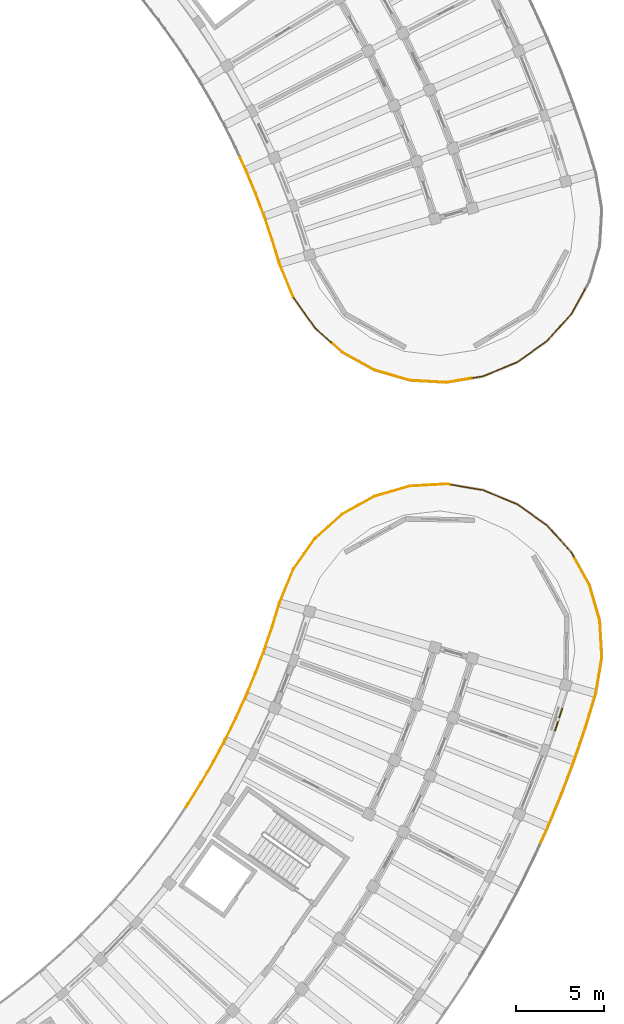
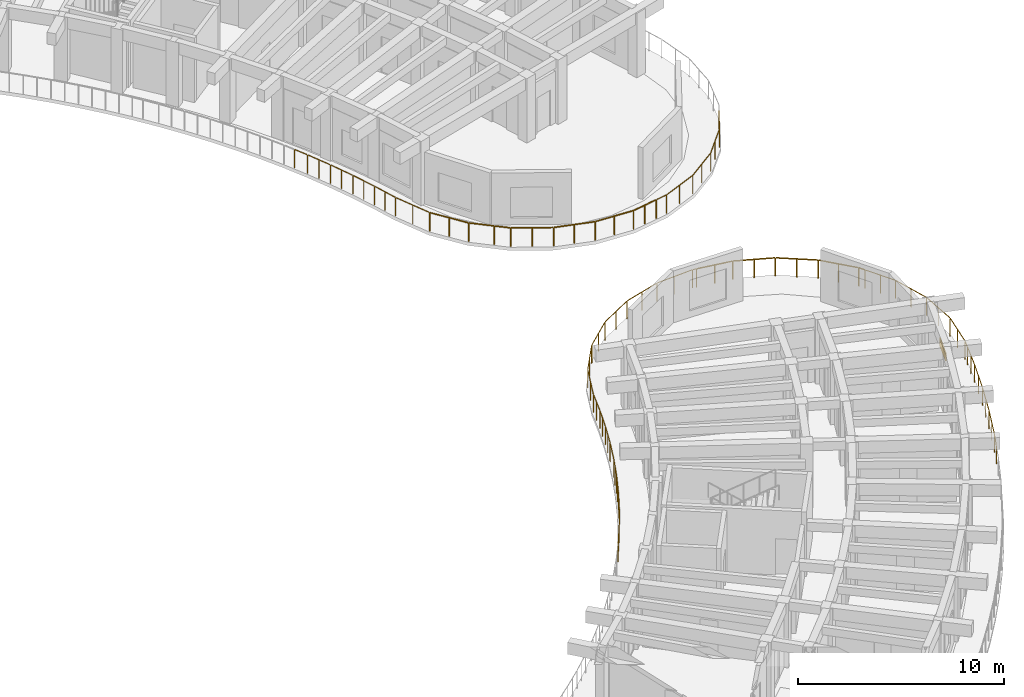
# One storey, part 123 of 128: 10 railings, 1 shading device.
"""IFC4 building model written with IfcOpenShell, lengths in metres."""

import ifcopenshell
import ifcopenshell.guid

model = None  # the IFC model being written
_history = None  # IfcOwnerHistory: only IFC2X3 demands one
_inside = {}  # id of a spatial element -> (the spatial element, [elements in it])
_under = {}  # id of a project, library or spatial element -> (it, [spatial elements below it])
_declared = {}  # id of a project -> (the project, [libraries it declares])
_typed = {}  # id of a type object -> (the type object, [elements of that type])
_made_of = {}  # id of a material, layer set ... -> (it, [elements and type objects made of it])


def new_model(schema):
    """Start an empty IFC model of exactly this schema.

    Asked for "IFC4X3", IfcOpenShell would pick the latest addendum, in which some entities
    have other attributes; the version numbers below select the first issue.
    IFC2X3 requires an IfcOwnerHistory on every rooted entity: one is made here for all.
    """
    global model, _history
    if schema == "IFC4X3":
        model = ifcopenshell.file(schema_version=(4, 3, 0, 0))
    else:
        model = ifcopenshell.file(schema=schema)
    _inside.clear()
    _under.clear()
    _declared.clear()
    _typed.clear()
    _made_of.clear()
    _history = None
    if model.schema == "IFC2X3":
        org = make("IfcOrganization", Name="unknown")
        user = make(
            "IfcPersonAndOrganization",
            ThePerson=make("IfcPerson", FamilyName="unknown"),
            TheOrganization=org,
        )
        app = make(
            "IfcApplication",
            ApplicationDeveloper=org,
            Version="unknown",
            ApplicationFullName="unknown",
            ApplicationIdentifier="unknown",
        )
        _history = make(
            "IfcOwnerHistory",
            OwningUser=user,
            OwningApplication=app,
            ChangeAction="ADDED",
            CreationDate=0,
        )
    return model


def make(cls, **values):
    """One entity of the class cls with the attributes given. An attribute that is None is left unset."""
    return model.create_entity(
        cls, **{name: value for name, value in values.items() if value is not None}
    )


def rooted(cls, **values):
    """An entity with a GlobalId (a new one), such as an element, a storey or a relation."""
    return make(cls, GlobalId=ifcopenshell.guid.new(), OwnerHistory=_history, **values)


def si_unit(unit_type, name, prefix=None):
    """IfcSIUnit, for example si_unit("LENGTHUNIT", "METRE", prefix="MILLI")."""
    return make("IfcSIUnit", UnitType=unit_type, Prefix=prefix, Name=name)


def assignment(units):
    """IfcUnitAssignment: the units of a project."""
    return None if units is None else make("IfcUnitAssignment", Units=units)


def point(xyz):
    """IfcCartesianPoint."""
    return None if xyz is None else make("IfcCartesianPoint", Coordinates=xyz)


def direction(xyz):
    """IfcDirection."""
    return None if xyz is None else make("IfcDirection", DirectionRatios=xyz)


def frame(location, z_axis=None, x_axis=None):
    """IfcAxis2Placement3D, a coordinate frame: its origin and axes. An axis left out is left unset."""
    return make(
        "IfcAxis2Placement3D",
        Location=point(location),
        Axis=direction(z_axis),
        RefDirection=direction(x_axis),
    )


def frame_2d(location, x_axis=None):
    """IfcAxis2Placement2D, a coordinate frame in the plane: its origin and x axis."""
    return make(
        "IfcAxis2Placement2D", Location=point(location), RefDirection=direction(x_axis)
    )


def origin():
    """The frame at (0, 0, 0) with its axes left unset."""
    return frame((0.0, 0.0, 0.0))


def origin_2d():
    """The frame at (0, 0) in the plane with its x axis left unset."""
    return frame_2d((0.0, 0.0))


def place(relative_to, where):
    """IfcLocalPlacement: puts the frame where relative to a parent placement (None: the world)."""
    return make(
        "IfcLocalPlacement", PlacementRelTo=relative_to, RelativePlacement=where
    )


def context(
    kind, dimensions, precision=None, world=None, true_north=None, identifier=None
):
    """IfcGeometricRepresentationContext, for example the 3D "Model" context."""
    return make(
        "IfcGeometricRepresentationContext",
        ContextIdentifier=identifier,
        ContextType=kind,
        CoordinateSpaceDimension=dimensions,
        Precision=precision,
        WorldCoordinateSystem=world,
        TrueNorth=true_north,
    )


def subcontext(parent, identifier, kind, view, scale=None):
    """IfcGeometricRepresentationSubContext, for example "Body" below "Model"."""
    return make(
        "IfcGeometricRepresentationSubContext",
        ContextIdentifier=identifier,
        ContextType=kind,
        ParentContext=parent,
        TargetScale=scale,
        TargetView=view,
    )


def project(units=None, contexts=None):
    """IfcProject with its units and contexts."""
    return rooted(
        "IfcProject",
        Name="project",
        RepresentationContexts=contexts,
        UnitsInContext=assignment(units),
    )


def spatial(cls, under=None, at=None, **own):
    """A site, building, storey or space (cls), placed at a placement, below another one or the project."""
    s = rooted(cls, ObjectPlacement=at, **own)
    if under is not None:
        _under.setdefault(under.id(), (under, []))[1].append(s)
    return s


def profile(cls, at=None, kind="AREA", **sizes):
    """A parametric profile (cls). Its sizes go by their IFC names, for example OverallWidth=200.0."""
    return make(cls, ProfileType=kind, Position=at, **sizes)


def rectangle(**sizes):
    """IfcRectangleProfileDef."""
    return profile("IfcRectangleProfileDef", **sizes)


def circle(**sizes):
    """IfcCircleProfileDef."""
    return profile("IfcCircleProfileDef", **sizes)


def extrude(swept, where, along, depth):
    """IfcExtrudedAreaSolid: the profile swept, set in the frame where, extruded along a direction by depth."""
    return make(
        "IfcExtrudedAreaSolid",
        SweptArea=swept,
        Position=where,
        ExtrudedDirection=direction(along),
        Depth=depth,
    )


def shape(context_of_items, identifier, shape_type, items):
    """IfcShapeRepresentation: the items that make up one representation, for example the "Body"."""
    return make(
        "IfcShapeRepresentation",
        ContextOfItems=context_of_items,
        RepresentationIdentifier=identifier,
        RepresentationType=shape_type,
        Items=items,
    )


def material(Name=None, Category=None):
    """IfcMaterial."""
    return make("IfcMaterial", Name=Name, Category=Category)


def layer(
    of_material, thickness, ventilated=None, Name=None, Category=None, Priority=None
):
    """IfcMaterialLayer: one layer of a wall or slab, of a material (None: an air gap)."""
    return make(
        "IfcMaterialLayer",
        Material=of_material,
        LayerThickness=thickness,
        IsVentilated=ventilated,
        Name=Name,
        Category=Category,
        Priority=Priority,
    )


def layer_set(layers, Name=None):
    """IfcMaterialLayerSet."""
    return make("IfcMaterialLayerSet", MaterialLayers=layers, LayerSetName=Name)


def made_of(thing, what):
    """Note that an element or type object is made of a material, layer set ...; save() writes the relation."""
    if what is not None:
        _made_of.setdefault(what.id(), (what, []))[1].append(thing)
    return thing


def type_object(cls, material=None, **own):
    """A type object (cls), such as IfcWallType, which elements share."""
    return made_of(rooted(cls, **own), material)


def element(
    cls,
    number,
    at=None,
    inside=None,
    cuts=None,
    type_object=None,
    material=None,
    context=None,
    identifier="Body",
    shape_type=None,
    held_by="IfcProductDefinitionShape",
    body=None,
    shapes=None,
    **own,
):
    """One element of the class cls, such as IfcWall. Its Tag is "e" and its number.

    at: its placement. inside: the storey or other place that contains it. cuts: it is an
    opening in that element (IfcRelVoidsElement). A single representation is given by context,
    identifier, shape_type and body (its items); several are given by shapes. held_by: the class
    of the entity that holds the representations. save() writes the other relations.
    """
    e = rooted(cls, Tag="e%d" % number, ObjectPlacement=at, **own)
    if body is not None:
        shapes = [shape(context, identifier, shape_type, body)]
    if shapes is not None:
        e.Representation = make(held_by, Representations=shapes)
    if inside is not None:
        _inside.setdefault(inside.id(), (inside, []))[1].append(e)
    if cuts is not None:
        rooted(
            "IfcRelVoidsElement", RelatingBuildingElement=cuts, RelatedOpeningElement=e
        )
    if type_object is not None:
        _typed.setdefault(type_object.id(), (type_object, []))[1].append(e)
    return made_of(e, material)


def aggregate(whole, parts):
    """IfcRelAggregates: a whole, such as a stair, and the parts it consists of."""
    return rooted("IfcRelAggregates", RelatingObject=whole, RelatedObjects=parts)


def save(model, path):
    """Write the relations noted so far, then the file.

    IfcRelAggregates (storeys below a building ...), IfcRelContainedInSpatialStructure (elements
    in a storey), IfcRelDefinesByType, IfcRelAssociatesMaterial and IfcRelDeclares: one each for
    every whole, place, type object, material and project.
    """
    for whole, parts in _under.values():
        aggregate(whole, parts)
    for where, things in _inside.values():
        rooted(
            "IfcRelContainedInSpatialStructure",
            RelatedElements=things,
            RelatingStructure=where,
        )
    for kind, things in _typed.values():
        rooted("IfcRelDefinesByType", RelatedObjects=things, RelatingType=kind)
    for what, things in _made_of.values():
        rooted("IfcRelAssociatesMaterial", RelatedObjects=things, RelatingMaterial=what)
    for by, libraries in _declared.values():
        rooted("IfcRelDeclares", RelatingContext=by, RelatedDefinitions=libraries)
    model.write(path)


model = new_model("IFC4")

# Units and contexts
model_context = context("Model", 3, precision=1e-05, world=origin(), true_north=direction((0.0, 1.0)))
body_context = subcontext(model_context, "Body", "Model", "MODEL_VIEW")
ifc_project = project(units=[si_unit("LENGTHUNIT", "METRE"), si_unit("AREAUNIT", "SQUARE_METRE"), si_unit("VOLUMEUNIT", "CUBIC_METRE"), si_unit("PLANEANGLEUNIT", "RADIAN"), si_unit("MASSUNIT", "GRAM", prefix="KILO")], contexts=[model_context])

# Site, building, storey
site_placement = place(None, origin())
site = spatial("IfcSite", under=ifc_project, at=site_placement, CompositionType="ELEMENT")
building_placement = place(site_placement, origin())
building = spatial("IfcBuilding", under=site, at=building_placement, Name="Tanwirah Colonnade Gardens", CompositionType="ELEMENT")
storey_placement = place(building_placement, frame((0.0, 0.0, 4.760009765625)))
storey = spatial("IfcBuildingStorey", under=building, at=storey_placement, Name="L01", CompositionType="ELEMENT", Elevation=4.760009765625)

# Railings
ifc_material_1 = material(Name="Precast concrete C40/50", Category="concrete")
railing_type_1 = type_object("IfcRailingType", Name="BAL-EXT110", PredefinedType="BALUSTRADE", material=ifc_material_1)
railing_1_placement = place(storey_placement, frame((156.728515625, 41.15869140625, 0.0)))
element("IfcRailing", 1, at=railing_1_placement, inside=storey, type_object=railing_type_1, Name="Block D L01 Balcony Ribbon Balustrade 5", PredefinedType="BALUSTRADE", context=body_context, shape_type="SweptSolid", body=[
    extrude(circle(Radius=0.02392578125, at=origin_2d()), frame((0.017333984375, 0.02587890625, 1.076171875), z_axis=(0.556591623042, 0.83078623313, 0.0), x_axis=(-0.83078623313, 0.556591623042, 0.0)), (0.0, 0.0, 1.0), 0.145751953125),
    extrude(circle(Radius=0.02392578125, at=origin_2d()), frame((0.1337890625, 0.201904296875, 1.076171875), z_axis=(0.529022666758, 0.848607693847, 0.0), x_axis=(-0.848607693847, 0.529022666758, 0.0)), (0.0, 0.0, 1.0), 1.33154296875),
    extrude(circle(Radius=0.02392578125, at=origin_2d()), frame((0.87158203125, 1.3876953125, 1.076171875), z_axis=(0.501015561301, 0.865438274711, 0.0), x_axis=(-0.865438274711, 0.501015561301, 0.0)), (0.0, 0.0, 1.0), 1.33154296875),
    extrude(circle(Radius=0.02392578125, at=origin_2d()), frame((1.5703125, 2.596923828125, 1.076171875), z_axis=(0.472323466806, 0.881425290484, 0.0), x_axis=(-0.881425290484, 0.472323466806, 0.0)), (0.0, 0.0, 1.0), 1.33154296875),
    extrude(circle(Radius=0.02392578125, at=origin_2d()), frame((2.229248046875, 3.82861328125, 1.076171875), z_axis=(0.443286097627, 0.896380184771, 0.0), x_axis=(-0.896380184771, 0.443286097627, 0.0)), (0.0, 0.0, 1.0), 1.33154296875),
    extrude(circle(Radius=0.02392578125, at=origin_2d()), frame((2.847412109375, 5.0810546875, 1.076171875), z_axis=(0.413697373423, 0.91041445684, 0.0), x_axis=(-0.91041445684, 0.413697373423, 0.0)), (0.0, 0.0, 1.0), 1.331298828125),
    extrude(circle(Radius=0.02392578125, at=origin_2d()), frame((3.424072265625, 6.352783203125, 1.076171875), z_axis=(0.383672564884, 0.923469199787, 0.0), x_axis=(-0.923469199787, 0.383672564884, 0.0)), (0.0, 0.0, 1.0), 1.2431640625),
    extrude(circle(Radius=0.02099609375, at=origin_2d()), origin(), (0.0, 0.0, 1.0), 1.049072265625),
    extrude(circle(Radius=0.02099609375, at=origin_2d()), frame((0.115966796875, 0.173095703125, 0.0)), (0.0, 0.0, 1.0), 1.049072265625),
    extrude(circle(Radius=0.02099609375, at=origin_2d()), frame((0.48583984375, 0.766845703125, 0.0)), (0.0, 0.0, 1.0), 1.049072265625),
    extrude(circle(Radius=0.02099609375, at=origin_2d()), frame((0.854736328125, 1.3583984375, 0.0)), (0.0, 0.0, 1.0), 1.049072265625),
    extrude(circle(Radius=0.02099609375, at=origin_2d()), frame((1.205078125, 1.9638671875, 0.0)), (0.0, 0.0, 1.0), 1.049072265625),
    extrude(circle(Radius=0.02099609375, at=origin_2d()), frame((1.554443359375, 2.567138671875, 0.0)), (0.0, 0.0, 1.0), 1.049072265625),
    extrude(circle(Radius=0.02099609375, at=origin_2d()), frame((1.884765625, 3.18359375, 0.0)), (0.0, 0.0, 1.0), 1.049072265625),
    extrude(circle(Radius=0.02099609375, at=origin_2d()), frame((2.214111328125, 3.798095703125, 0.0)), (0.0, 0.0, 1.0), 1.049072265625),
    extrude(circle(Radius=0.02099609375, at=origin_2d()), frame((2.5244140625, 4.42529296875, 0.0)), (0.0, 0.0, 1.0), 1.049072265625),
    extrude(circle(Radius=0.02099609375, at=origin_2d()), frame((2.833251953125, 5.050048828125, 0.0)), (0.0, 0.0, 1.0), 1.049072265625),
    extrude(circle(Radius=0.02099609375, at=origin_2d()), frame((3.122802734375, 5.68701171875, 0.0)), (0.0, 0.0, 1.0), 1.049072265625),
    extrude(circle(Radius=0.02099609375, at=origin_2d()), frame((3.4111328125, 6.321533203125, 0.0)), (0.0, 0.0, 1.0), 1.049072265625),
    extrude(circle(Radius=0.02099609375, at=origin_2d()), frame((3.9130859375, 7.52978515625, 0.0)), (0.0, 0.0, 1.0), 1.049072265625),
])
railing_2_placement = place(storey_placement, frame((160.6416015625, 48.6884765625, 0.0)))
element("IfcRailing", 2, at=railing_2_placement, inside=storey, type_object=railing_type_1, Name="Block D L01 Balcony Ribbon Balustrade 6", PredefinedType="BALUSTRADE", context=body_context, shape_type="SweptSolid", body=[
    extrude(circle(Radius=0.02392578125, at=origin_2d()), frame((0.011962890625, 0.02880859375, 1.076171875), z_axis=(0.384222801745, 0.923240401315, 0.0), x_axis=(-0.923240401315, 0.384222801745, 0.0)), (0.0, 0.0, 1.0), 0.02587890625),
    extrude(circle(Radius=0.02392578125, at=origin_2d()), frame((0.0458984375, 0.11328125, 1.076171875), z_axis=(0.353291566317, 0.935513265095, 0.0), x_axis=(-0.935513265095, 0.353291566317, 0.0)), (0.0, 0.0, 1.0), 1.331298828125),
    extrude(circle(Radius=0.02392578125, at=origin_2d()), frame((0.538330078125, 1.419921875, 1.076171875), z_axis=(0.322420738552, 0.946596464895, 0.0), x_axis=(-0.946596464895, 0.322420738552, 0.0)), (0.0, 0.0, 1.0), 1.33154296875),
    extrude(circle(Radius=0.02392578125, at=origin_2d()), frame((0.987548828125, 2.7421875, 1.076171875), z_axis=(0.291308344694, 0.956629211509, 0.0), x_axis=(-0.956629211509, 0.291308344694, 0.0)), (0.0, 0.0, 1.0), 1.327880859375),
    extrude(circle(Radius=0.02392578125, at=origin_2d()), frame((1.3955078125, 4.0712890625, 1.076171875), z_axis=(0.381489237895, 0.92437328032, 0.0), x_axis=(-0.92437328032, 0.381489237895, 0.0)), (0.0, 0.0, 1.0), 2.029541015625),
    extrude(circle(Radius=0.02392578125, at=origin_2d()), frame((2.19970703125, 6.001953125, 1.076171875), z_axis=(0.577702435947, 0.81624744747, 0.0), x_axis=(-0.81624744747, 0.577702435947, 0.0)), (0.0, 0.0, 1.0), 2.0244140625),
    extrude(circle(Radius=0.02099609375, at=origin_2d()), origin(), (0.0, 0.0, 1.0), 1.049072265625),
    extrude(circle(Radius=0.02099609375, at=origin_2d()), frame((0.033935546875, 0.08154296875, 0.0)), (0.0, 0.0, 1.0), 1.049072265625),
    extrude(circle(Radius=0.02099609375, at=origin_2d()), frame((0.28125, 0.73583984375, 0.0)), (0.0, 0.0, 1.0), 1.049072265625),
    extrude(circle(Radius=0.02099609375, at=origin_2d()), frame((0.52734375, 1.387939453125, 0.0)), (0.0, 0.0, 1.0), 1.049072265625),
    extrude(circle(Radius=0.02099609375, at=origin_2d()), frame((0.7529296875, 2.05029296875, 0.0)), (0.0, 0.0, 1.0), 1.049072265625),
    extrude(circle(Radius=0.02099609375, at=origin_2d()), frame((0.977783203125, 2.7099609375, 0.0)), (0.0, 0.0, 1.0), 1.049072265625),
    extrude(circle(Radius=0.02099609375, at=origin_2d()), frame((1.18115234375, 3.37744140625, 0.0)), (0.0, 0.0, 1.0), 1.049072265625),
    extrude(circle(Radius=0.02099609375, at=origin_2d()), frame((1.383544921875, 4.04248046875, 0.0)), (0.0, 0.0, 1.0), 1.049072265625),
    extrude(circle(Radius=0.02099609375, at=origin_2d()), frame((1.78271484375, 5.00927734375, 0.0)), (0.0, 0.0, 1.0), 1.049072265625),
    extrude(circle(Radius=0.02099609375, at=origin_2d()), frame((2.181640625, 5.976318359375, 0.0)), (0.0, 0.0, 1.0), 1.049072265625),
    extrude(circle(Radius=0.02099609375, at=origin_2d()), frame((2.784423828125, 6.828125, 0.0)), (0.0, 0.0, 1.0), 1.049072265625),
    extrude(circle(Radius=0.02099609375, at=origin_2d()), frame((3.38720703125, 7.6796875, 0.0)), (0.0, 0.0, 1.0), 1.049072265625),
])
railing_3_placement = place(storey_placement, frame((164.063720703125, 56.3994140625, 0.0)))
element("IfcRailing", 3, at=railing_3_placement, inside=storey, type_object=railing_type_1, Name="Block D L01 Balcony Ribbon Balustrade 7", PredefinedType="BALUSTRADE", context=body_context, shape_type="SweptSolid", body=[
    extrude(circle(Radius=0.02392578125, at=origin_2d()), frame((0.023193359375, 0.020751953125, 1.076171875), z_axis=(0.744815510739, 0.667270451138, 0.0), x_axis=(-0.667270451138, 0.744815510739, 0.0)), (0.0, 0.0, 1.0), 1.9775390625),
    extrude(circle(Radius=0.02392578125, at=origin_2d()), frame((1.546875, 1.37646484375, 1.076171875), z_axis=(0.874620424882, 0.484808325403, 0.0), x_axis=(-0.484808325403, 0.874620424882, 0.0)), (0.0, 0.0, 1.0), 2.0244140625),
    extrude(circle(Radius=0.02392578125, at=origin_2d()), frame((3.374755859375, 2.3818359375, 1.076171875), z_axis=(0.960560153031, 0.278072279108, 0.0), x_axis=(-0.278072279108, 0.960560153031, 0.0)), (0.0, 0.0, 1.0), 2.0244140625),
    extrude(circle(Radius=0.02392578125, at=origin_2d()), frame((5.380615234375, 2.955078125, 1.076171875), z_axis=(0.998355686266, 0.057322977065, 0.0), x_axis=(-0.057322977065, 0.998355686266, 0.0)), (0.0, 0.0, 1.0), 2.0244140625),
    extrude(circle(Radius=0.02392578125, at=origin_2d()), frame((7.463623046875, 3.06787109375, 1.076171875), z_axis=(0.985993298705, -0.166784936099, 0.0), x_axis=(0.166784936099, 0.985993298705, 0.0)), (0.0, 0.0, 1.0), 0.136474609375),
    extrude(circle(Radius=0.02099609375, at=origin_2d()), origin(), (0.0, 0.0, 1.0), 1.049072265625),
    extrude(circle(Radius=0.02099609375, at=origin_2d()), frame((0.759765625, 0.6806640625, 0.0)), (0.0, 0.0, 1.0), 1.049072265625),
    extrude(circle(Radius=0.02099609375, at=origin_2d()), frame((1.51953125, 1.361328125, 0.0)), (0.0, 0.0, 1.0), 1.049072265625),
    extrude(circle(Radius=0.02099609375, at=origin_2d()), frame((2.43212890625, 1.8671875, 0.0)), (0.0, 0.0, 1.0), 1.049072265625),
    extrude(circle(Radius=0.02099609375, at=origin_2d()), frame((3.3447265625, 2.373046875, 0.0)), (0.0, 0.0, 1.0), 1.049072265625),
    extrude(circle(Radius=0.02099609375, at=origin_2d()), frame((4.34716796875, 2.6630859375, 0.0)), (0.0, 0.0, 1.0), 1.049072265625),
    extrude(circle(Radius=0.02099609375, at=origin_2d()), frame((5.349365234375, 2.953369140625, 0.0)), (0.0, 0.0, 1.0), 1.049072265625),
    extrude(circle(Radius=0.02099609375, at=origin_2d()), frame((6.39111328125, 3.01318359375, 0.0)), (0.0, 0.0, 1.0), 1.049072265625),
    extrude(circle(Radius=0.02099609375, at=origin_2d()), frame((7.432861328125, 3.072998046875, 0.0)), (0.0, 0.0, 1.0), 1.049072265625),
    extrude(circle(Radius=0.02099609375, at=origin_2d()), frame((7.629150390625, 3.039794921875, 0.0)), (0.0, 0.0, 1.0), 1.049072265625),
])
railing_4_placement = place(storey_placement, frame((171.69287109375, 59.439208984375, 0.0)))
element("IfcRailing", 4, at=railing_4_placement, inside=storey, type_object=railing_type_1, Name="Block D L01 Balcony Ribbon Balustrade 8", PredefinedType="BALUSTRADE", context=body_context, shape_type="SweptSolid", body=[
    extrude(circle(Radius=0.02392578125, at=origin_2d()), frame((0.03076171875, -0.005126953125, 1.076171875), z_axis=(0.986074017586, -0.166307040868, 0.0), x_axis=(0.166307040868, 0.986074017586, 0.0)), (0.0, 0.0, 1.0), 1.825439453125),
    extrude(circle(Radius=0.02392578125, at=origin_2d()), frame((1.890380859375, -0.325927734375, 1.076171875), z_axis=(0.924362800533, -0.381514630115, 0.0), x_axis=(0.381514630115, 0.924362800533, 0.0)), (0.0, 0.0, 1.0), 2.024169921875),
    extrude(circle(Radius=0.02392578125, at=origin_2d()), frame((3.816162109375, -1.128173828125, 1.076171875), z_axis=(0.816286486525, -0.577647272924, 0.0), x_axis=(0.577647272924, 0.816286486525, 0.0)), (0.0, 0.0, 1.0), 2.0244140625),
    extrude(circle(Radius=0.02392578125, at=origin_2d()), frame((5.514892578125, -2.3388671875, 1.076171875), z_axis=(0.667321336148, -0.744769920393, 0.0), x_axis=(0.744769920393, 0.667321336148, 0.0)), (0.0, 0.0, 1.0), 2.0244140625),
    extrude(circle(Radius=0.02392578125, at=origin_2d()), frame((6.90185546875, -3.897216796875, 1.076171875), z_axis=(0.484581560684, -0.874746083755, 0.0), x_axis=(0.874746083755, 0.484581560684, 0.0)), (0.0, 0.0, 1.0), 0.2890625),
    extrude(circle(Radius=0.02099609375, at=origin_2d()), origin(), (0.0, 0.0, 1.0), 1.049072265625),
    extrude(circle(Radius=0.02099609375, at=origin_2d()), frame((0.9306640625, -0.156982421875, 0.0)), (0.0, 0.0, 1.0), 1.049072265625),
    extrude(circle(Radius=0.02099609375, at=origin_2d()), frame((1.861572265625, -0.31396484375, 0.0)), (0.0, 0.0, 1.0), 1.049072265625),
    extrude(circle(Radius=0.02099609375, at=origin_2d()), frame((2.826171875, -0.7119140625, 0.0)), (0.0, 0.0, 1.0), 1.049072265625),
    extrude(circle(Radius=0.02099609375, at=origin_2d()), frame((3.79052734375, -1.110107421875, 0.0)), (0.0, 0.0, 1.0), 1.049072265625),
    extrude(circle(Radius=0.02099609375, at=origin_2d()), frame((4.642333984375, -1.712890625, 0.0)), (0.0, 0.0, 1.0), 1.049072265625),
    extrude(circle(Radius=0.02099609375, at=origin_2d()), frame((5.494140625, -2.315673828125, 0.0)), (0.0, 0.0, 1.0), 1.049072265625),
    extrude(circle(Radius=0.02099609375, at=origin_2d()), frame((6.1904296875, -3.0927734375, 0.0)), (0.0, 0.0, 1.0), 1.049072265625),
    extrude(circle(Radius=0.02099609375, at=origin_2d()), frame((6.88671875, -3.869873046875, 0.0)), (0.0, 0.0, 1.0), 1.049072265625),
    extrude(circle(Radius=0.02099609375, at=origin_2d()), frame((7.05712890625, -4.177490234375, 0.0)), (0.0, 0.0, 1.0), 1.049072265625),
])
railing_5_placement = place(storey_placement, frame((178.75, 55.26171875, 0.0)))
element("IfcRailing", 5, at=railing_5_placement, inside=storey, type_object=railing_type_1, Name="Block D L01 Balcony Ribbon Balustrade 9", PredefinedType="BALUSTRADE", context=body_context, shape_type="SweptSolid", body=[
    extrude(circle(Radius=0.02392578125, at=origin_2d()), frame((0.01513671875, -0.02734375, 1.076171875), z_axis=(0.484794621278, -0.874628021035, 0.0), x_axis=(0.874628021035, 0.484794621278, 0.0)), (0.0, 0.0, 1.0), 1.6728515625),
    extrude(circle(Radius=0.02392578125, at=origin_2d()), frame((0.85009765625, -1.5478515625, 1.076171875), z_axis=(0.277995575468, -0.960582354627, 0.0), x_axis=(0.960582354627, 0.277995575468, 0.0)), (0.0, 0.0, 1.0), 2.024169921875),
    extrude(circle(Radius=0.02392578125, at=origin_2d()), frame((1.423095703125, -3.553466796875, 1.076171875), z_axis=(0.057322977065, -0.998355686266, 0.0), x_axis=(0.998355686266, 0.057322977065, 0.0)), (0.0, 0.0, 1.0), 2.0244140625),
    extrude(circle(Radius=0.02392578125, at=origin_2d()), frame((1.535888671875, -5.636474609375, 1.076171875), z_axis=(-0.166273240714, -0.98607971758, 0.0), x_axis=(0.98607971758, -0.166273240714, 0.0)), (0.0, 0.0, 1.0), 2.0283203125),
    extrude(circle(Radius=0.02392578125, at=origin_2d()), frame((1.184326171875, -7.697509765625, 1.076171875), z_axis=(-0.290928518409, -0.956744792082, 0.0), x_axis=(0.956744792082, -0.290928518409, 0.0)), (0.0, 0.0, 1.0), 0.437744140625),
    extrude(circle(Radius=0.02099609375, at=origin_2d()), origin(), (0.0, 0.0, 1.0), 1.049072265625),
    extrude(circle(Radius=0.02099609375, at=origin_2d()), frame((0.420654296875, -0.7587890625, 0.0)), (0.0, 0.0, 1.0), 1.049072265625),
    extrude(circle(Radius=0.02099609375, at=origin_2d()), frame((0.84130859375, -1.517822265625, 0.0)), (0.0, 0.0, 1.0), 1.049072265625),
    extrude(circle(Radius=0.02099609375, at=origin_2d()), frame((1.13134765625, -2.52001953125, 0.0)), (0.0, 0.0, 1.0), 1.049072265625),
    extrude(circle(Radius=0.02099609375, at=origin_2d()), frame((1.42138671875, -3.522216796875, 0.0)), (0.0, 0.0, 1.0), 1.049072265625),
    extrude(circle(Radius=0.02099609375, at=origin_2d()), frame((1.481201171875, -4.56396484375, 0.0)), (0.0, 0.0, 1.0), 1.049072265625),
    extrude(circle(Radius=0.02099609375, at=origin_2d()), frame((1.541015625, -5.605712890625, 0.0)), (0.0, 0.0, 1.0), 1.049072265625),
    extrude(circle(Radius=0.02099609375, at=origin_2d()), frame((1.3671875, -6.63671875, 0.0)), (0.0, 0.0, 1.0), 1.049072265625),
    extrude(circle(Radius=0.02099609375, at=origin_2d()), frame((1.193359375, -7.66748046875, 0.0)), (0.0, 0.0, 1.0), 1.049072265625),
    extrude(circle(Radius=0.02099609375, at=origin_2d()), frame((1.0478515625, -8.14599609375, 0.0)), (0.0, 0.0, 1.0), 1.049072265625),
])
railing_6_placement = place(storey_placement, frame((179.7978515625, 47.11572265625, 0.0)))
element("IfcRailing", 6, at=railing_6_placement, inside=storey, type_object=railing_type_1, Name="Block D L01 Balcony Ribbon Balustrade 10", PredefinedType="BALUSTRADE", context=body_context, shape_type="SweptSolid", body=[
    extrude(circle(Radius=0.02392578125, at=origin_2d()), frame((-0.009033203125, -0.02978515625, 1.076171875), z_axis=(-0.291504284688, -0.956569522831, 0.0), x_axis=(0.956569522831, -0.291504284688, 0.0)), (0.0, 0.0, 1.0), 1.43994140625),
    extrude(circle(Radius=0.02392578125, at=origin_2d()), frame((-0.447998046875, -1.466796875, 1.076171875), z_axis=(-0.322426184604, -0.946594609895, 0.0), x_axis=(0.946594609895, -0.322426184604, 0.0)), (0.0, 0.0, 1.0), 1.944091796875),
    extrude(circle(Radius=0.02392578125, at=origin_2d()), frame((-1.095947265625, -3.365966796875, 1.076171875), z_axis=(-0.353175799738, -0.935556975539, 0.0), x_axis=(0.935556975539, -0.353175799738, 0.0)), (0.0, 0.0, 1.0), 1.9443359375),
    extrude(circle(Radius=0.02392578125, at=origin_2d()), frame((-1.8056640625, -5.242919921875, 1.076171875), z_axis=(-0.383777149523, -0.923425741196, 0.0), x_axis=(0.923425741196, -0.383777149523, 0.0)), (0.0, 0.0, 1.0), 1.94384765625),
    extrude(circle(Radius=0.02392578125, at=origin_2d()), frame((-2.57666015625, -7.095458984375, 1.076171875), z_axis=(-0.413746505337, -0.910392129426, 0.0), x_axis=(0.910392129426, -0.413746505337, 0.0)), (0.0, 0.0, 1.0), 0.915283203125),
    extrude(circle(Radius=0.02099609375, at=origin_2d()), origin(), (0.0, 0.0, 1.0), 1.049072265625),
    extrude(circle(Radius=0.02099609375, at=origin_2d()), frame((-0.218994140625, -0.71875, 0.0)), (0.0, 0.0, 1.0), 1.049072265625),
    extrude(circle(Radius=0.02099609375, at=origin_2d()), frame((-0.43798828125, -1.437255859375, 0.0)), (0.0, 0.0, 1.0), 1.049072265625),
    extrude(circle(Radius=0.02099609375, at=origin_2d()), frame((-0.761474609375, -2.386962890625, 0.0)), (0.0, 0.0, 1.0), 1.049072265625),
    extrude(circle(Radius=0.02099609375, at=origin_2d()), frame((-1.0849609375, -3.336669921875, 0.0)), (0.0, 0.0, 1.0), 1.049072265625),
    extrude(circle(Radius=0.02099609375, at=origin_2d()), frame((-1.439453125, -4.275390625, 0.0)), (0.0, 0.0, 1.0), 1.049072265625),
    extrude(circle(Radius=0.02099609375, at=origin_2d()), frame((-1.793701171875, -5.214111328125, 0.0)), (0.0, 0.0, 1.0), 1.049072265625),
    extrude(circle(Radius=0.02099609375, at=origin_2d()), frame((-2.1787109375, -6.140625, 0.0)), (0.0, 0.0, 1.0), 1.049072265625),
    extrude(circle(Radius=0.02099609375, at=origin_2d()), frame((-2.563720703125, -7.06689453125, 0.0)), (0.0, 0.0, 1.0), 1.049072265625),
    extrude(circle(Radius=0.02099609375, at=origin_2d()), frame((-2.96826171875, -7.95703125, 0.0)), (0.0, 0.0, 1.0), 1.049072265625),
])
railing_type_2 = type_object("IfcRailingType", Name="BAL-EXT112", PredefinedType="BALUSTRADE", material=ifc_material_1)
railing_7_placement = place(storey_placement, frame((162.8232421875, 70.035400390625, 0.0)))
element("IfcRailing", 7, at=railing_7_placement, inside=storey, type_object=railing_type_2, Name="Block B L01 Balcony Ribbon Balustrade 1", PredefinedType="BALUSTRADE", context=body_context, shape_type="SweptSolid", body=[
    extrude(circle(Radius=0.02392578125, at=origin_2d()), frame((-0.011962890625, 0.02880859375, 1.09619140625), z_axis=(-0.381489237895, 0.92437328032, 0.0), x_axis=(-0.92437328032, -0.381489237895, 0.0)), (0.0, 0.0, 1.0), 2.029541015625),
    extrude(circle(Radius=0.02392578125, at=origin_2d()), frame((-0.80712890625, 1.963623046875, 1.09619140625), z_axis=(-0.29148764702, 0.956574592823, 0.0), x_axis=(-0.956574592823, -0.29148764702, 0.0)), (0.0, 0.0, 1.0), 1.337890625),
    extrude(circle(Radius=0.02392578125, at=origin_2d()), frame((-1.217041015625, 3.305419921875, 1.09619140625), z_axis=(-0.322790719453, 0.946470364795, 0.0), x_axis=(-0.946470364795, -0.322790719453, 0.0)), (0.0, 0.0, 1.0), 1.342041015625),
    extrude(circle(Radius=0.02392578125, at=origin_2d()), frame((-1.67236328125, 4.636962890625, 1.09619140625), z_axis=(-0.353789339155, 0.935325132508, 0.0), x_axis=(-0.935325132508, -0.353789339155, 0.0)), (0.0, 0.0, 1.0), 1.341796875),
    extrude(circle(Radius=0.02392578125, at=origin_2d()), frame((-2.171142578125, 5.952392578125, 1.09619140625), z_axis=(-0.384541319971, 0.923107779858, 0.0), x_axis=(-0.923107779858, -0.384541319971, 0.0)), (0.0, 0.0, 1.0), 1.341796875),
    extrude(circle(Radius=0.02392578125, at=origin_2d()), frame((-2.713134765625, 7.2509765625, 1.09619140625), z_axis=(-0.414647740507, 0.909982006027, 0.0), x_axis=(-0.909982006027, -0.414647740507, 0.0)), (0.0, 0.0, 1.0), 0.72119140625),
    extrude(circle(Radius=0.02099609375, at=origin_2d()), origin(), (0.0, 0.0, 1.0), 1.069091796875),
    extrude(circle(Radius=0.02099609375, at=origin_2d()), frame((-0.39892578125, 0.966796875, 0.0)), (0.0, 0.0, 1.0), 1.069091796875),
    extrude(circle(Radius=0.02099609375, at=origin_2d()), frame((-0.798095703125, 1.933837890625, 0.0)), (0.0, 0.0, 1.0), 1.069091796875),
    extrude(circle(Radius=0.02099609375, at=origin_2d()), frame((-1.002197265625, 2.603515625, 0.0)), (0.0, 0.0, 1.0), 1.069091796875),
    extrude(circle(Radius=0.02099609375, at=origin_2d()), frame((-1.206298828125, 3.2734375, 0.0)), (0.0, 0.0, 1.0), 1.069091796875),
    extrude(circle(Radius=0.02099609375, at=origin_2d()), frame((-1.43359375, 3.9404296875, 0.0)), (0.0, 0.0, 1.0), 1.069091796875),
    extrude(circle(Radius=0.02099609375, at=origin_2d()), frame((-1.660400390625, 4.605224609375, 0.0)), (0.0, 0.0, 1.0), 1.069091796875),
    extrude(circle(Radius=0.02099609375, at=origin_2d()), frame((-1.90966796875, 5.264404296875, 0.0)), (0.0, 0.0, 1.0), 1.069091796875),
    extrude(circle(Radius=0.02099609375, at=origin_2d()), frame((-2.158203125, 5.921142578125, 0.0)), (0.0, 0.0, 1.0), 1.069091796875),
    extrude(circle(Radius=0.02099609375, at=origin_2d()), frame((-2.42919921875, 6.57177734375, 0.0)), (0.0, 0.0, 1.0), 1.069091796875),
    extrude(circle(Radius=0.02099609375, at=origin_2d()), frame((-2.69921875, 7.219970703125, 0.0)), (0.0, 0.0, 1.0), 1.069091796875),
    extrude(circle(Radius=0.02099609375, at=origin_2d()), frame((-3.025146484375, 7.935546875, 0.0)), (0.0, 0.0, 1.0), 1.069091796875),
])
railing_8_placement = place(storey_placement, frame((179.34326171875, 70.508544921875, 0.0)))
element("IfcRailing", 8, at=railing_8_placement, inside=storey, type_object=railing_type_2, Name="Block B L01 Balcony Ribbon Balustrade 20", PredefinedType="BALUSTRADE", context=body_context, shape_type="SweptSolid", body=[
    extrude(circle(Radius=0.02392578125, at=origin_2d()), frame((-0.01513671875, -0.02734375, 1.09619140625), z_axis=(-0.484813654045, -0.874617471156, 0.0), x_axis=(0.874617471156, -0.484813654045, 0.0)), (0.0, 0.0, 1.0), 1.5126953125),
    extrude(circle(Radius=0.02392578125, at=origin_2d()), frame((-0.784423828125, -1.40087890625, 1.09619140625), z_axis=(-0.667263194146, -0.744822012119, 0.0), x_axis=(0.744822012119, -0.667263194146, 0.0)), (0.0, 0.0, 1.0), 2.0244140625),
    extrude(circle(Radius=0.02392578125, at=origin_2d()), frame((-2.181884765625, -2.9501953125, 1.09619140625), z_axis=(-0.816286486525, -0.577647272924, 0.0), x_axis=(0.577647272924, -0.816286486525, 0.0)), (0.0, 0.0, 1.0), 2.0244140625),
    extrude(circle(Radius=0.02392578125, at=origin_2d()), frame((-3.888671875, -4.149658203125, 1.09619140625), z_axis=(-0.924362800533, -0.381514630115, 0.0), x_axis=(0.381514630115, -0.924362800533, 0.0)), (0.0, 0.0, 1.0), 2.024169921875),
    extrude(circle(Radius=0.02392578125, at=origin_2d()), frame((-5.819580078125, -4.93896484375, 1.09619140625), z_axis=(-0.9860941903, -0.166187387776, 0.0), x_axis=(0.166187387776, -0.9860941903, 0.0)), (0.0, 0.0, 1.0), 0.6015625),
    extrude(circle(Radius=0.02099609375, at=origin_2d()), origin(), (0.0, 0.0, 1.0), 1.069091796875),
    extrude(circle(Radius=0.02099609375, at=origin_2d()), frame((-0.3818359375, -0.68896484375, 0.0)), (0.0, 0.0, 1.0), 1.069091796875),
    extrude(circle(Radius=0.02099609375, at=origin_2d()), frame((-0.763671875, -1.377685546875, 0.0)), (0.0, 0.0, 1.0), 1.069091796875),
    extrude(circle(Radius=0.02099609375, at=origin_2d()), frame((-1.4599609375, -2.15478515625, 0.0)), (0.0, 0.0, 1.0), 1.069091796875),
    extrude(circle(Radius=0.02099609375, at=origin_2d()), frame((-2.15625, -2.93212890625, 0.0)), (0.0, 0.0, 1.0), 1.069091796875),
    extrude(circle(Radius=0.02099609375, at=origin_2d()), frame((-3.008056640625, -3.534912109375, 0.0)), (0.0, 0.0, 1.0), 1.069091796875),
    extrude(circle(Radius=0.02099609375, at=origin_2d()), frame((-3.85986328125, -4.1376953125, 0.0)), (0.0, 0.0, 1.0), 1.069091796875),
    extrude(circle(Radius=0.02099609375, at=origin_2d()), frame((-4.82421875, -4.53564453125, 0.0)), (0.0, 0.0, 1.0), 1.069091796875),
    extrude(circle(Radius=0.02099609375, at=origin_2d()), frame((-5.788818359375, -4.933837890625, 0.0)), (0.0, 0.0, 1.0), 1.069091796875),
    extrude(circle(Radius=0.02099609375, at=origin_2d()), frame((-6.443603515625, -5.044189453125, 0.0)), (0.0, 0.0, 1.0), 1.069091796875),
])
railing_9_placement = place(storey_placement, frame((172.899658203125, 65.46435546875, 0.0)))
element("IfcRailing", 9, at=railing_9_placement, inside=storey, type_object=railing_type_2, Name="Block B L01 Balcony Ribbon Balustrade 21", PredefinedType="BALUSTRADE", context=body_context, shape_type="SweptSolid", body=[
    extrude(circle(Radius=0.02392578125, at=origin_2d()), frame((-0.03076171875, -0.005126953125, 1.09619140625), z_axis=(-0.986081459766, -0.166262908389, 0.0), x_axis=(0.166262908389, -0.986081459766, 0.0)), (0.0, 0.0, 1.0), 1.3603515625),
    extrude(circle(Radius=0.02392578125, at=origin_2d()), frame((-1.434326171875, -0.23486328125, 1.09619140625), z_axis=(-0.998362374442, 0.057206374631, 0.0), x_axis=(-0.057206374631, -0.998362374442, 0.0)), (0.0, 0.0, 1.0), 2.0244140625),
    extrude(circle(Radius=0.02392578125, at=origin_2d()), frame((-3.5166015625, -0.1083984375, 1.09619140625), z_axis=(-0.960560153031, 0.278072279108, 0.0), x_axis=(-0.278072279108, -0.960560153031, 0.0)), (0.0, 0.0, 1.0), 2.0244140625),
    extrude(circle(Radius=0.02392578125, at=origin_2d()), frame((-5.5185546875, 0.478271484375, 1.09619140625), z_axis=(-0.874620424882, 0.484808325403, 0.0), x_axis=(-0.484808325403, -0.874620424882, 0.0)), (0.0, 0.0, 1.0), 2.0244140625),
    extrude(circle(Radius=0.02392578125, at=origin_2d()), frame((-7.339599609375, 1.49560546875, 1.09619140625), z_axis=(-0.744779587928, 0.667310546452, 0.0), x_axis=(-0.667310546452, -0.744779587928, 0.0)), (0.0, 0.0, 1.0), 0.753662109375),
    extrude(circle(Radius=0.02099609375, at=origin_2d()), origin(), (0.0, 0.0, 1.0), 1.069091796875),
    extrude(circle(Radius=0.02099609375, at=origin_2d()), frame((-0.70166015625, -0.1181640625, 0.0)), (0.0, 0.0, 1.0), 1.069091796875),
    extrude(circle(Radius=0.02099609375, at=origin_2d()), frame((-1.403076171875, -0.236572265625, 0.0)), (0.0, 0.0, 1.0), 1.069091796875),
    extrude(circle(Radius=0.02099609375, at=origin_2d()), frame((-2.44482421875, -0.1767578125, 0.0)), (0.0, 0.0, 1.0), 1.069091796875),
    extrude(circle(Radius=0.02099609375, at=origin_2d()), frame((-3.486572265625, -0.1171875, 0.0)), (0.0, 0.0, 1.0), 1.069091796875),
    extrude(circle(Radius=0.02099609375, at=origin_2d()), frame((-4.48876953125, 0.1728515625, 0.0)), (0.0, 0.0, 1.0), 1.069091796875),
    extrude(circle(Radius=0.02099609375, at=origin_2d()), frame((-5.4912109375, 0.463134765625, 0.0)), (0.0, 0.0, 1.0), 1.069091796875),
    extrude(circle(Radius=0.02099609375, at=origin_2d()), frame((-6.40380859375, 0.968994140625, 0.0)), (0.0, 0.0, 1.0), 1.069091796875),
    extrude(circle(Radius=0.02099609375, at=origin_2d()), frame((-7.31640625, 1.474853515625, 0.0)), (0.0, 0.0, 1.0), 1.069091796875),
    extrude(circle(Radius=0.02099609375, at=origin_2d()), frame((-7.92431640625, 2.01953125, 0.0)), (0.0, 0.0, 1.0), 1.069091796875),
])
railing_10_placement = place(storey_placement, frame((164.975341796875, 67.48388671875, 0.0)))
element("IfcRailing", 10, at=railing_10_placement, inside=storey, type_object=railing_type_2, Name="Block B L01 Balcony Ribbon Balustrade 22", PredefinedType="BALUSTRADE", context=body_context, shape_type="SweptSolid", body=[
    extrude(circle(Radius=0.02392578125, at=origin_2d()), frame((-0.023193359375, 0.020751953125, 1.09619140625), z_axis=(-0.744849259982, 0.6672327779, 0.0), x_axis=(-0.6672327779, -0.744849259982, 0.0)), (0.0, 0.0, 1.0), 1.208251953125),
    extrude(circle(Radius=0.02392578125, at=origin_2d()), frame((-0.964599609375, 0.87353515625, 1.09619140625), z_axis=(-0.577647272924, 0.816286486525, 0.0), x_axis=(-0.816286486525, -0.577647272924, 0.0)), (0.0, 0.0, 1.0), 2.0244140625),
    extrude(circle(Radius=0.02099609375, at=origin_2d()), origin(), (0.0, 0.0, 1.0), 1.069091796875),
    extrude(circle(Radius=0.02099609375, at=origin_2d()), frame((-0.946533203125, 0.847900390625, 0.0)), (0.0, 0.0, 1.0), 1.069091796875),
    extrude(circle(Radius=0.02099609375, at=origin_2d()), frame((-1.54931640625, 1.69970703125, 0.0)), (0.0, 0.0, 1.0), 1.069091796875),
    extrude(circle(Radius=0.02099609375, at=origin_2d()), frame((-2.152099609375, 2.551513671875, 0.0)), (0.0, 0.0, 1.0), 1.069091796875),
])

# Shading device
ifc_material_2 = material(Name="Perforated architectural bronze aluminium", Category="aluminium")
ifc_layer = layer(ifc_material_2, 0.050048828125)
ifc_layer_set = layer_set([ifc_layer], Name="Perforated architectural bronze aluminium")
shading_device_type = type_object("IfcShadingDeviceType", Name="SHD-OVH1", PredefinedType="SHUTTER", material=ifc_layer_set)
shading_device_placement = place(storey_placement, frame((177.845458984375, 46.11962890625, 1.9951171875), z_axis=(0.0, 0.0, 1.0), x_axis=(0.30694165475, 0.951728333391, 0.0)))
element("IfcShadingDevice", 11, at=shading_device_placement, inside=storey, type_object=shading_device_type, Name="Solar shading louver hood D-L01-15", PredefinedType="SHUTTER", context=body_context, shape_type="SweptSolid", body=[
    extrude(rectangle(XDim=1.360107421875, YDim=0.06005859375, at=origin_2d()), origin(), (0.0, 0.0, 1.0), 0.449951171875),
])

save(model, "model.ifc")
